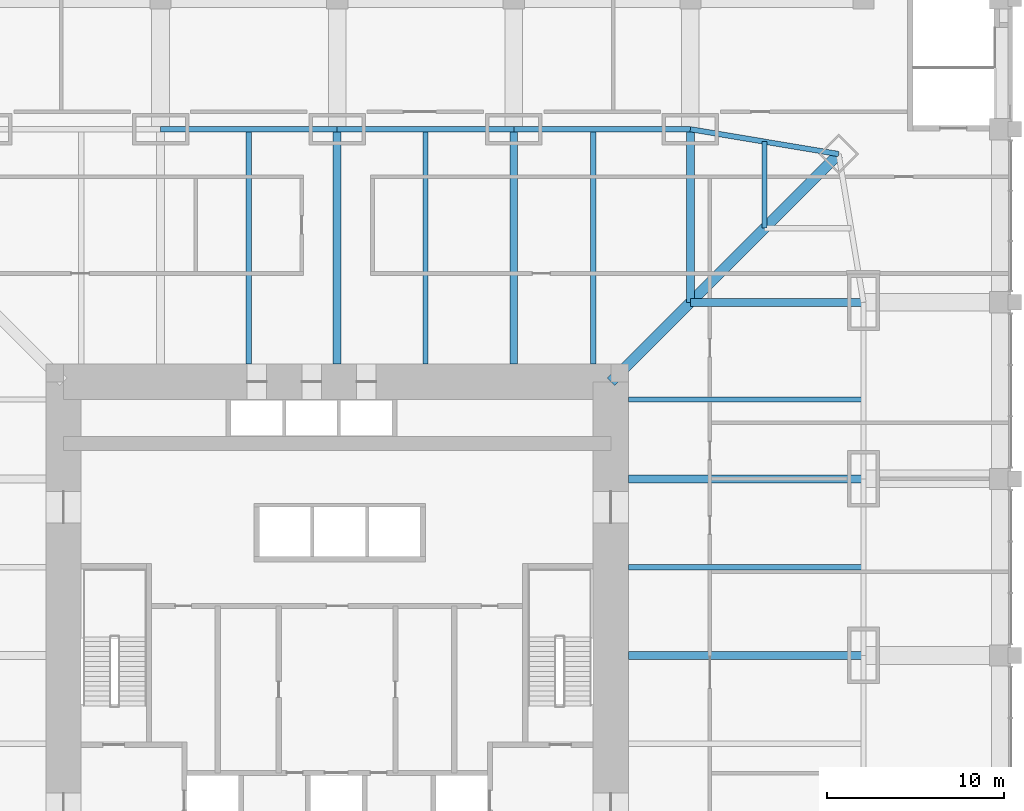
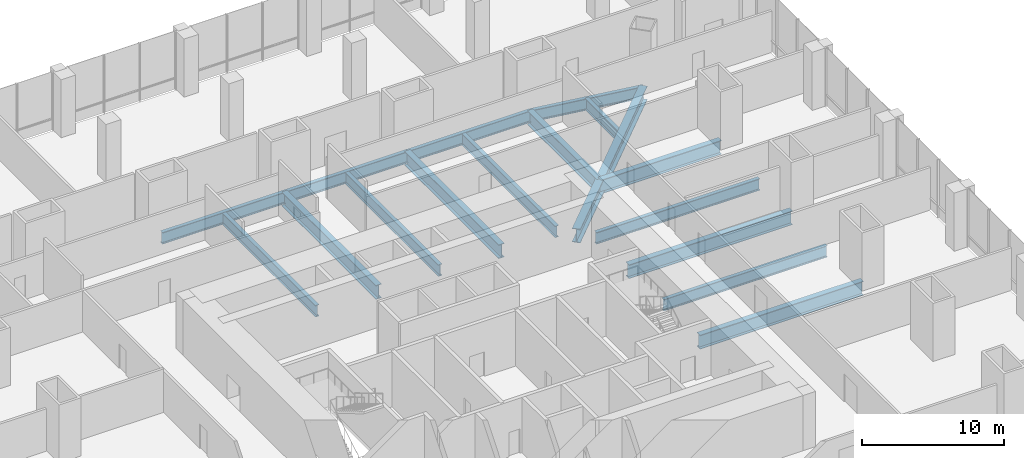
# One storey, part 7 of 22: 17 beams.
"""IFC4 building model written with IfcOpenShell, lengths in metres."""

from ifc_helpers import new_model, si_unit, direction, frame, origin, origin_2d, place, context, subcontext, project, spatial, i_section, extrude, material, material_profile, profile_set, type_object, element, save


model = new_model("IFC4")

# Units and contexts
model_context = context("Model", 3, precision=1e-05, world=origin(), true_north=direction((0.0, 1.0)))
body_context = subcontext(model_context, "Body", "Model", "MODEL_VIEW")
ifc_project = project(units=[si_unit("LENGTHUNIT", "METRE"), si_unit("AREAUNIT", "SQUARE_METRE"), si_unit("VOLUMEUNIT", "CUBIC_METRE"), si_unit("PLANEANGLEUNIT", "RADIAN"), si_unit("MASSUNIT", "GRAM", prefix="KILO")], contexts=[model_context])

# Site, building, storey
site_placement = place(None, origin())
site = spatial("IfcSite", under=ifc_project, at=site_placement, CompositionType="ELEMENT")
building_placement = place(site_placement, origin())
building = spatial("IfcBuilding", under=site, at=building_placement, Name="Khuree Lantern Residences", CompositionType="ELEMENT")
storey_placement = place(building_placement, frame((0.0, 0.0, 16.0)))
storey = spatial("IfcBuildingStorey", under=building, at=storey_placement, Name="L03", CompositionType="ELEMENT", Elevation=16.0)

# Beams
ifc_material = material(Name="Steel S355", Category="steel")
ifc_material_profile_1 = material_profile(ifc_material, i_section(OverallWidth=0.300048828125, OverallDepth=1.0, WebThickness=0.01904296875, FlangeThickness=0.035888671875, FilletRadius=0.030029296875, at=origin_2d()), Name="HE 1000 B")
ifc_profile_set_1 = profile_set([ifc_material_profile_1], Name="Steel S355")
beam_type_1 = type_object("IfcBeamType", Name="B-03 SECONDARY BEAM HE 1000 B", PredefinedType="BEAM", material=ifc_profile_set_1)
for number, where, z_axis, x_axis, name in (
    (1, (-5.0, 29.800048828125, -0.800048828125), (0.0, -1.0, 0.0), (1.0, 0.0, 0.0), "Secondary beam N2"),
    (2, (5.0, 29.800048828125, -0.800048828125), (0.0, -1.0, 0.0), (1.0, 0.0, 0.0), "Secondary beam N3"),
    (3, (14.5, 29.800048828125, -0.800048828125), (0.0, -1.0, 0.0), (1.0, 0.0, 0.0), "Secondary beam N4"),
):
    element("IfcBeam", number, at=place(storey_placement, frame(where, z_axis=z_axis, x_axis=x_axis)), inside=storey, type_object=beam_type_1, Name=name, PredefinedType="BEAM", context=body_context, shape_type="SweptSolid", body=[
        extrude(i_section(OverallWidth=0.300048828125, OverallDepth=1.0, WebThickness=0.01904296875, FlangeThickness=0.035888671875, FilletRadius=0.030029296875, at=origin_2d()), origin(), (0.0, 0.0, 1.0), 13.300048828125),
    ])
beam_1_placement = place(storey_placement, frame((24.197021484375, 29.09716796875, -0.800048828125), z_axis=(0.0, -1.0, 0.0), x_axis=(1.0, 0.0, 0.0)))
element("IfcBeam", 4, at=beam_1_placement, inside=storey, type_object=beam_type_1, Name="Secondary beam N5", PredefinedType="BEAM", context=body_context, shape_type="SweptSolid", body=[
    extrude(i_section(OverallWidth=0.300048828125, OverallDepth=1.0, WebThickness=0.01904296875, FlangeThickness=0.035888671875, FilletRadius=0.030029296875, at=origin_2d()), origin(), (0.0, 0.0, 1.0), 4.900146484375),
])
for number, where, z_axis, x_axis, name in (
    (5, (29.800048828125, 14.5, -0.800048828125), (-1.0, 0.0, 0.0), (0.0, -1.0, 0.0), "Secondary beam E2"),
    (6, (29.800048828125, 5.0, -0.800048828125), (-1.0, 0.0, 0.0), (0.0, -1.0, 0.0), "Secondary beam E3"),
):
    element("IfcBeam", number, at=place(storey_placement, frame(where, z_axis=z_axis, x_axis=x_axis)), inside=storey, type_object=beam_type_1, Name=name, PredefinedType="BEAM", context=body_context, shape_type="SweptSolid", body=[
        extrude(i_section(OverallWidth=0.300048828125, OverallDepth=1.0, WebThickness=0.01904296875, FlangeThickness=0.035888671875, FilletRadius=0.030029296875, at=origin_2d()), origin(), (0.0, 0.0, 1.0), 13.300048828125),
    ])
ifc_material_profile_2 = material_profile(ifc_material, i_section(OverallWidth=0.300048828125, OverallDepth=1.0, WebThickness=0.01904296875, FlangeThickness=0.035888671875, FilletRadius=0.030029296875, at=origin_2d()), Name="HE 1000 B")
ifc_profile_set_2 = profile_set([ifc_material_profile_2], Name="Steel S355")
beam_type_2 = type_object("IfcBeamType", Name="E-03 SPANDREL BEAM HE 1000 B", PredefinedType="SPANDREL", material=ifc_profile_set_2)
for number, where, z_axis, x_axis, name in (
    (7, (-10.0, 29.800048828125, -0.800048828125), (1.0, 0.0, 0.0), (0.0, 1.0, 0.0), "Spandrel beam N2"),
    (8, (0.0, 29.800048828125, -0.800048828125), (1.0, 0.0, 0.0), (0.0, 1.0, 0.0), "Spandrel beam N3"),
    (9, (10.0, 29.800048828125, -0.800048828125), (1.0, 0.0, 0.0), (0.0, 1.0, 0.0), "Spandrel beam N4"),
):
    element("IfcBeam", number, at=place(storey_placement, frame(where, z_axis=z_axis, x_axis=x_axis)), inside=storey, type_object=beam_type_2, Name=name, PredefinedType="SPANDREL", context=body_context, shape_type="SweptSolid", body=[
        extrude(i_section(OverallWidth=0.300048828125, OverallDepth=1.0, WebThickness=0.01904296875, FlangeThickness=0.035888671875, FilletRadius=0.030029296875, at=origin_2d()), origin(), (0.0, 0.0, 1.0), 10.0),
    ])
beam_2_placement = place(storey_placement, frame((20.0, 29.800048828125, -0.800048828125), z_axis=(0.986260251158, -0.165199022349, 0.0), x_axis=(0.165199022349, 0.986260251158, 0.0)))
element("IfcBeam", 10, at=beam_2_placement, inside=storey, type_object=beam_type_2, Name="Spandrel beam N5", PredefinedType="SPANDREL", context=body_context, shape_type="SweptSolid", body=[
    extrude(i_section(OverallWidth=0.300048828125, OverallDepth=1.0, WebThickness=0.01904296875, FlangeThickness=0.035888671875, FilletRadius=0.030029296875, at=origin_2d()), origin(), (0.0, 0.0, 1.0), 8.510986328125),
])
ifc_material_profile_3 = material_profile(ifc_material, i_section(OverallWidth=0.449951171875, OverallDepth=1.199951171875, WebThickness=0.02490234375, FlangeThickness=0.044921875, at=origin_2d()), Name="WELDED I 1200X450X25X45")
ifc_profile_set_3 = profile_set([ifc_material_profile_3], Name="Steel S355")
beam_type_3 = type_object("IfcBeamType", Name="G-03 GIRDER WELDED I 1200X450X25X45", PredefinedType="BEAM", material=ifc_profile_set_3)
for number, where, z_axis, x_axis, name in (
    (11, (0.0, 29.800048828125, -0.89990234375), (0.0, -1.0, 0.0), (1.0, 0.0, 0.0), "Girder N3"),
    (12, (10.0, 29.800048828125, -0.89990234375), (0.0, -1.0, 0.0), (1.0, 0.0, 0.0), "Girder N4"),
):
    element("IfcBeam", number, at=place(storey_placement, frame(where, z_axis=z_axis, x_axis=x_axis)), inside=storey, type_object=beam_type_3, Name=name, PredefinedType="BEAM", context=body_context, shape_type="SweptSolid", body=[
        extrude(i_section(OverallWidth=0.449951171875, OverallDepth=1.199951171875, WebThickness=0.02490234375, FlangeThickness=0.044921875, at=origin_2d()), origin(), (0.0, 0.0, 1.0), 13.300048828125),
    ])
for number, where, z_axis, x_axis, name in (
    (13, (20.0, 29.800048828125, -0.89990234375), (0.0, -1.0, 0.0), (1.0, 0.0, 0.0), "Girder N5"),
    (14, (29.800048828125, 20.0, -0.89990234375), (-1.0, 0.0, 0.0), (0.0, -1.0, 0.0), "Girder E1"),
):
    element("IfcBeam", number, at=place(storey_placement, frame(where, z_axis=z_axis, x_axis=x_axis)), inside=storey, type_object=beam_type_3, Name=name, PredefinedType="BEAM", context=body_context, shape_type="SweptSolid", body=[
        extrude(i_section(OverallWidth=0.449951171875, OverallDepth=1.199951171875, WebThickness=0.02490234375, FlangeThickness=0.044921875, at=origin_2d()), origin(), (0.0, 0.0, 1.0), 9.800048828125),
    ])
for number, where, z_axis, x_axis, name in (
    (15, (29.800048828125, 10.0, -0.89990234375), (-1.0, 0.0, 0.0), (0.0, -1.0, 0.0), "Girder E2"),
    (16, (29.800048828125, 0.0, -0.89990234375), (-1.0, 0.0, 0.0), (0.0, -1.0, 0.0), "Girder E3"),
):
    element("IfcBeam", number, at=place(storey_placement, frame(where, z_axis=z_axis, x_axis=x_axis)), inside=storey, type_object=beam_type_3, Name=name, PredefinedType="BEAM", context=body_context, shape_type="SweptSolid", body=[
        extrude(i_section(OverallWidth=0.449951171875, OverallDepth=1.199951171875, WebThickness=0.02490234375, FlangeThickness=0.044921875, at=origin_2d()), origin(), (0.0, 0.0, 1.0), 13.300048828125),
    ])
ifc_material_profile_4 = material_profile(ifc_material, i_section(OverallWidth=0.60009765625, OverallDepth=1.199951171875, WebThickness=0.030029296875, FlangeThickness=0.06005859375, at=origin_2d()), Name="WELDED I 1200X600X30X60")
ifc_profile_set_4 = profile_set([ifc_material_profile_4], Name="Steel S355")
beam_type_4 = type_object("IfcBeamType", Name="GD-03 CORNER GIRDER WELDED I 1200X600X30X60", PredefinedType="BEAM", material=ifc_profile_set_4)
beam_3_placement = place(storey_placement, frame((28.39404296875, 28.39404296875, -0.89990234375), z_axis=(-0.707106781187, -0.707106781187, 0.0), x_axis=(0.707106781187, -0.707106781187, 0.0)))
element("IfcBeam", 17, at=beam_3_placement, inside=storey, type_object=beam_type_4, Name="Corner girder NE", PredefinedType="BEAM", context=body_context, shape_type="SweptSolid", body=[
    extrude(i_section(OverallWidth=0.60009765625, OverallDepth=1.199951171875, WebThickness=0.030029296875, FlangeThickness=0.06005859375, at=origin_2d()), origin(), (0.0, 0.0, 1.0), 18.23486328125),
])

save(model, "model.ifc")
